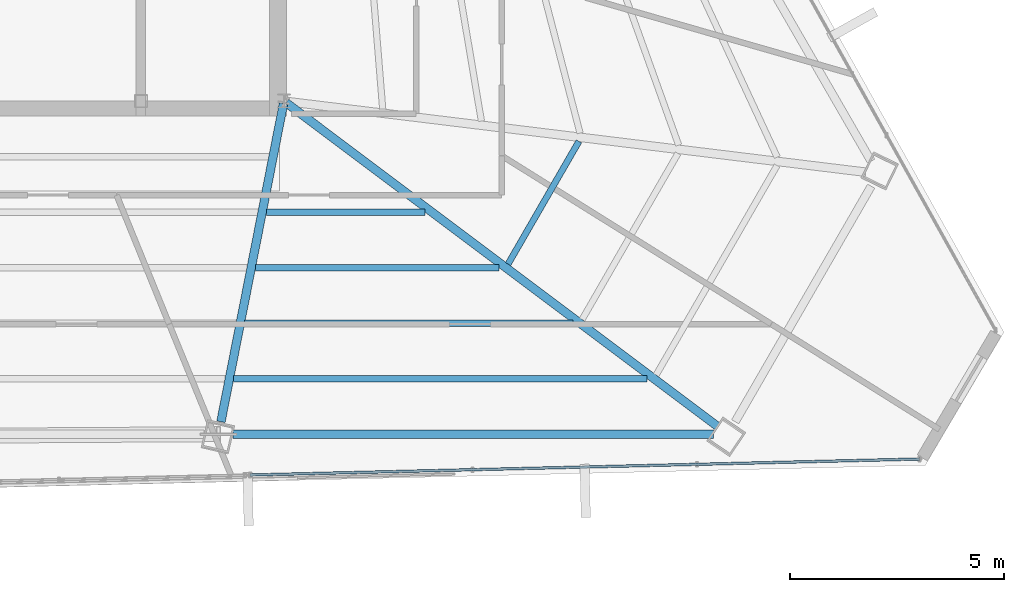
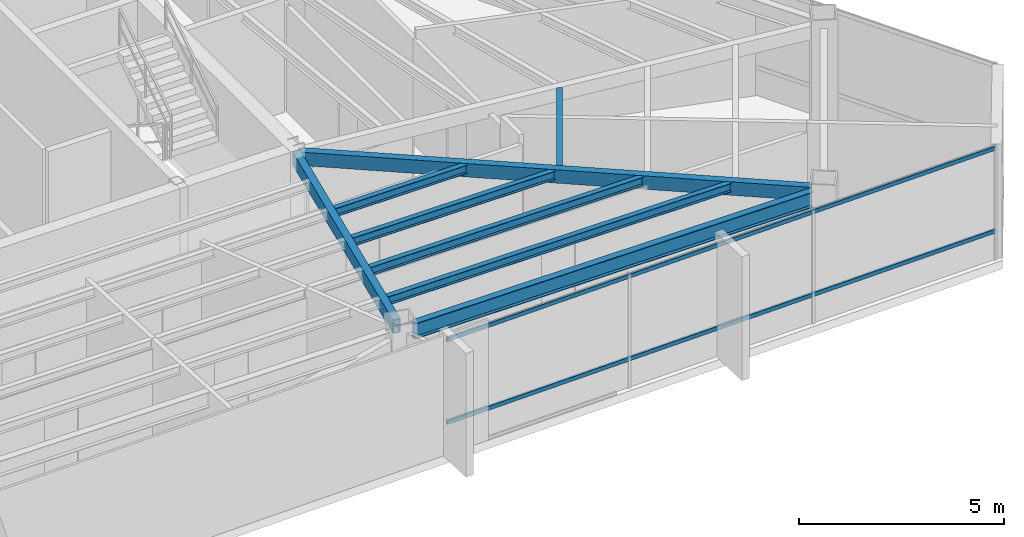
# One storey, part 20 of 45: 8 beams, 2 members, 1 element without a shape of its own.
"""IFC4 building model written with IfcOpenShell, lengths in metres."""

from ifc_helpers import new_model, si_unit, direction, frame, origin, origin_2d, place, context, subcontext, project, spatial, hollow_rectangle, i_section, extrude, source, transform, mapped, material, material_profile, profile_set, type_object, type_shapes, element, aggregate, save


model = new_model("IFC4")

# Units and contexts
model_context = context("Model", 3, precision=1e-05, world=origin(), true_north=direction((0.0, 1.0)))
body_context = subcontext(model_context, "Body", "Model", "MODEL_VIEW")
ifc_project = project(units=[si_unit("LENGTHUNIT", "METRE"), si_unit("AREAUNIT", "SQUARE_METRE"), si_unit("VOLUMEUNIT", "CUBIC_METRE"), si_unit("PLANEANGLEUNIT", "RADIAN"), si_unit("MASSUNIT", "GRAM", prefix="KILO")], contexts=[model_context])

# Site, building, storey
site_placement = place(None, origin())
site = spatial("IfcSite", under=ifc_project, at=site_placement, CompositionType="ELEMENT")
building_placement = place(site_placement, origin())
building = spatial("IfcBuilding", under=site, at=building_placement, Name="Caelisora Broadcast Tower", CompositionType="ELEMENT")
storey_placement = place(building_placement, frame((0.0, 0.0, 266.35009765625)))
storey = spatial("IfcBuildingStorey", under=building, at=storey_placement, Name="L70", CompositionType="ELEMENT", Elevation=266.35009765625)

# Beams
ifc_material_1 = material(Name="Steel Grade 350 (AS/NZS 3679.1)", Category="steel")
ifc_material_profile_1 = material_profile(ifc_material_1, i_section(OverallWidth=0.19091796875, OverallDepth=0.46044921875, WebThickness=0.010009765625, FlangeThickness=0.01611328125, at=origin_2d()), Name="Steel Grade 350 (AS/NZS 3679.1)")
ifc_profile_set_1 = profile_set([ifc_material_profile_1], Name="Steel Grade 350 (AS/NZS 3679.1)")
beam_type_1 = type_object("IfcBeamType", Name="PG06", PredefinedType="BEAM", material=ifc_profile_set_1)
shared_shape_1 = source(origin(), body_context, "Body", "SweptSolid", [
    extrude(i_section(OverallWidth=0.19091796875, OverallDepth=0.46044921875, WebThickness=0.010009765625, FlangeThickness=0.01611328125, at=origin_2d()), origin(), (0.0, 0.0, 1.0), 11.25537109375),
])
type_shapes(beam_type_1, [shared_shape_1])
beam_1_placement = place(storey_placement, frame((44.3037109375, 9.601318359375, 3.169677734375), z_axis=(1.0, 0.0, 0.0), x_axis=(0.0, 1.0, 0.0)))
element("IfcBeam", 1, at=beam_1_placement, inside=storey, type_object=beam_type_1, Name="L70 beam PG06", PredefinedType="BEAM", context=body_context, shape_type="MappedRepresentation", body=[
    mapped(shared_shape_1, transform((0.0, 0.0, 0.0), scale=1.0)),
])
ifc_material_2 = material(Name="Steel Grade 350 (AS/NZS 1163 C350L0)", Category="steel")
ifc_material_profile_2 = material_profile(ifc_material_2, hollow_rectangle(XDim=0.199951171875, YDim=0.39990234375, WallThickness=0.012451171875, at=origin_2d()), Name="Steel Grade 350 (AS/NZS 1163 C350L0)")
ifc_profile_set_2 = profile_set([ifc_material_profile_2], Name="Steel Grade 350 (AS/NZS 1163 C350L0)")
beam_type_2 = type_object("IfcBeamType", Name="PG07", PredefinedType="BEAM", material=ifc_profile_set_2)
shared_shape_2 = source(origin(), body_context, "Body", "SweptSolid", [
    extrude(hollow_rectangle(XDim=0.199951171875, YDim=0.39990234375, WallThickness=0.012451171875, at=origin_2d()), origin(), (0.0, 0.0, 1.0), 12.638916015625),
])
beam_2_placement = place(storey_placement, frame((45.548095703125, 17.364013671875, 3.199951171875), z_axis=(0.7999605923, -0.600052540005, 0.0), x_axis=(0.600052540005, 0.7999605923, 0.0)))
element("IfcBeam", 2, at=beam_2_placement, inside=storey, type_object=beam_type_2, Name="L70 beam PG07", PredefinedType="BEAM", context=body_context, shape_type="MappedRepresentation", body=[
    mapped(shared_shape_2, transform((0.0, 0.0, 0.0), scale=1.0)),
])
shared_shape_3 = source(origin(), body_context, "Body", "SweptSolid", [
    extrude(hollow_rectangle(XDim=0.199951171875, YDim=0.39990234375, WallThickness=0.012451171875, at=origin_2d()), origin(), (0.0, 0.0, 1.0), 7.590087890625),
])
type_shapes(beam_type_2, [shared_shape_2, shared_shape_3])
beam_3_placement = place(storey_placement, frame((45.48828125, 17.341064453125, 3.199951171875), z_axis=(-0.193028459947, -0.981193158176, 0.0), x_axis=(0.981193158176, -0.193028459947, 0.0)))
element("IfcBeam", 3, at=beam_3_placement, inside=storey, type_object=beam_type_2, Name="L70 beam PG07", PredefinedType="BEAM", context=body_context, shape_type="MappedRepresentation", body=[
    mapped(shared_shape_3, transform((0.0, 0.0, 0.0), scale=1.0)),
])
ifc_material_profile_3 = material_profile(ifc_material_1, i_section(OverallWidth=0.14599609375, OverallDepth=0.256103515625, WebThickness=0.00634765625, FlangeThickness=0.010986328125, at=origin_2d()), Name="Steel Grade 350 (AS/NZS 3679.1)")
ifc_profile_set_3 = profile_set([ifc_material_profile_3], Name="Steel Grade 350 (AS/NZS 3679.1)")
beam_type_3 = type_object("IfcBeamType", Name="SB04", PredefinedType="JOIST", material=ifc_profile_set_3)
shared_shape_4 = source(origin(), body_context, "Body", "SweptSolid", [
    extrude(i_section(OverallWidth=0.14599609375, OverallDepth=0.256103515625, WebThickness=0.00634765625, FlangeThickness=0.010986328125, at=origin_2d()), origin(), (0.0, 0.0, 1.0), 3.31787109375),
])
beam_4_placement = place(storey_placement, frame((50.747314453125, 13.585205078125, 3.271728515625), z_axis=(0.500009088543, 0.866020156448, 0.0), x_axis=(-0.866020156448, 0.500009088543, 0.0)))
element("IfcBeam", 4, at=beam_4_placement, inside=storey, type_object=beam_type_3, Name="L70 beam SB04", PredefinedType="JOIST", context=body_context, shape_type="MappedRepresentation", body=[
    mapped(shared_shape_4, transform((0.0, 0.0, 0.0), scale=1.0)),
])
shared_shape_5 = source(origin(), body_context, "Body", "SweptSolid", [
    extrude(i_section(OverallWidth=0.14599609375, OverallDepth=0.256103515625, WebThickness=0.00634765625, FlangeThickness=0.010986328125, at=origin_2d()), origin(), (0.0, 0.0, 1.0), 3.714599609375),
])
beam_5_placement = place(storey_placement, frame((45.08740234375, 14.80029296875, 3.271728515625), z_axis=(1.0, 0.0, 0.0), x_axis=(0.0, 1.0, 0.0)))
element("IfcBeam", 5, at=beam_5_placement, inside=storey, type_object=beam_type_3, Name="L70 beam SB04", PredefinedType="JOIST", context=body_context, shape_type="MappedRepresentation", body=[
    mapped(shared_shape_5, transform((0.0, 0.0, 0.0), scale=1.0)),
])
shared_shape_6 = source(origin(), body_context, "Body", "SweptSolid", [
    extrude(i_section(OverallWidth=0.14599609375, OverallDepth=0.256103515625, WebThickness=0.00634765625, FlangeThickness=0.010986328125, at=origin_2d()), origin(), (0.0, 0.0, 1.0), 5.703125),
])
beam_6_placement = place(storey_placement, frame((44.831787109375, 13.500732421875, 3.271728515625), z_axis=(1.0, 0.0, 0.0), x_axis=(0.0, 1.0, 0.0)))
element("IfcBeam", 6, at=beam_6_placement, inside=storey, type_object=beam_type_3, Name="L70 beam SB04", PredefinedType="JOIST", context=body_context, shape_type="MappedRepresentation", body=[
    mapped(shared_shape_6, transform((0.0, 0.0, 0.0), scale=1.0)),
])
shared_shape_7 = source(origin(), body_context, "Body", "SweptSolid", [
    extrude(i_section(OverallWidth=0.14599609375, OverallDepth=0.256103515625, WebThickness=0.00634765625, FlangeThickness=0.010986328125, at=origin_2d()), origin(), (0.0, 0.0, 1.0), 7.691650390625),
])
beam_7_placement = place(storey_placement, frame((44.575927734375, 12.200927734375, 3.271728515625), z_axis=(1.0, 0.0, 0.0), x_axis=(0.0, 1.0, 0.0)))
element("IfcBeam", 7, at=beam_7_placement, inside=storey, type_object=beam_type_3, Name="L70 beam SB04", PredefinedType="JOIST", context=body_context, shape_type="MappedRepresentation", body=[
    mapped(shared_shape_7, transform((0.0, 0.0, 0.0), scale=1.0)),
])
shared_shape_8 = source(origin(), body_context, "Body", "SweptSolid", [
    extrude(i_section(OverallWidth=0.14599609375, OverallDepth=0.256103515625, WebThickness=0.00634765625, FlangeThickness=0.010986328125, at=origin_2d()), origin(), (0.0, 0.0, 1.0), 9.68017578125),
])
type_shapes(beam_type_3, [shared_shape_4, shared_shape_5, shared_shape_6, shared_shape_7, shared_shape_8])
beam_8_placement = place(storey_placement, frame((44.3203125, 10.901123046875, 3.271728515625), z_axis=(1.0, 0.0, 0.0), x_axis=(0.0, 1.0, 0.0)))
element("IfcBeam", 8, at=beam_8_placement, inside=storey, type_object=beam_type_3, Name="L70 beam SB04", PredefinedType="JOIST", context=body_context, shape_type="MappedRepresentation", body=[
    mapped(shared_shape_8, transform((0.0, 0.0, 0.0), scale=1.0)),
])

# Curtain wall, members
ifc_material_3 = material(Name="Unitised Aluminium and Low-E Glass Curtain Wall", Category="glass")
curtain_wall_type = type_object("IfcCurtainWallType", Name="CW-Z5", PredefinedType="NOTDEFINED", material=ifc_material_3)
curtain_wall_placement = place(storey_placement, origin())
curtain_wall = element("IfcCurtainWall", 9, at=curtain_wall_placement, inside=storey, type_object=curtain_wall_type, Name="L70 curtain wall CW-Z5", PredefinedType="NOTDEFINED")
ifc_material_4 = material(Name="Aluminium 6063-T6 Anodised Terracotta Bronze", Category="aluminium")
ifc_material_profile_4 = material_profile(ifc_material_4, hollow_rectangle(XDim=0.06005859375, YDim=0.1201171875, WallThickness=0.0029296875, at=origin_2d()), Name="Aluminium 6063-T6 Anodised Terracotta Bronze")
ifc_profile_set_4 = profile_set([ifc_material_profile_4], Name="Aluminium 6063-T6 Anodised Terracotta Bronze")
member_type = type_object("IfcMemberType", Name="CWT-03", PredefinedType="USERDEFINED", material=ifc_profile_set_4)
shared_shape_9 = source(origin(), body_context, "Body", "SweptSolid", [
    extrude(hollow_rectangle(XDim=0.06005859375, YDim=0.1201171875, WallThickness=0.0029296875, at=origin_2d()), origin(), (0.0, 0.0, 1.0), 15.686767578125),
])
type_shapes(member_type, [shared_shape_9])
member_1_placement = place(storey_placement, frame((60.383056640625, 9.019775390625, 0.849853515625), z_axis=(-0.999714597776, -0.023889809412, 0.0), x_axis=(0.023889809412, -0.999714597776, 0.0)))
member_1 = element("IfcMember", 10, at=member_1_placement, type_object=member_type, Name="L70-CW-B05 transom #1", ObjectType="TRANSOM", PredefinedType="USERDEFINED", context=body_context, shape_type="MappedRepresentation", body=[
    mapped(shared_shape_9, transform((0.0, 0.0, 0.0), scale=1.0)),
])
member_2_placement = place(storey_placement, frame((60.383056640625, 9.019775390625, 3.31982421875), z_axis=(-0.999714597776, -0.023889809412, 0.0), x_axis=(0.023889809412, -0.999714597776, 0.0)))
member_2 = element("IfcMember", 11, at=member_2_placement, type_object=member_type, Name="L70-CW-B05 transom #2", ObjectType="TRANSOM", PredefinedType="USERDEFINED", context=body_context, shape_type="MappedRepresentation", body=[
    mapped(shared_shape_9, transform((0.0, 0.0, 0.0), scale=1.0)),
])
aggregate(curtain_wall, [member_1, member_2])

save(model, "model.ifc")
